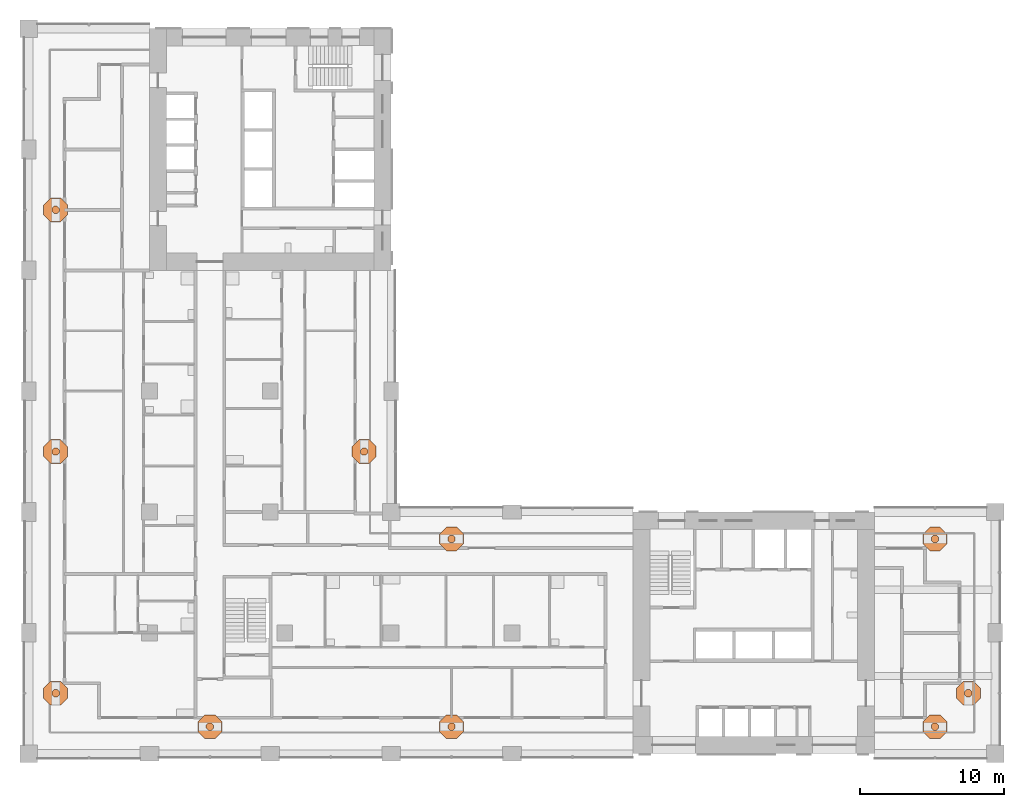
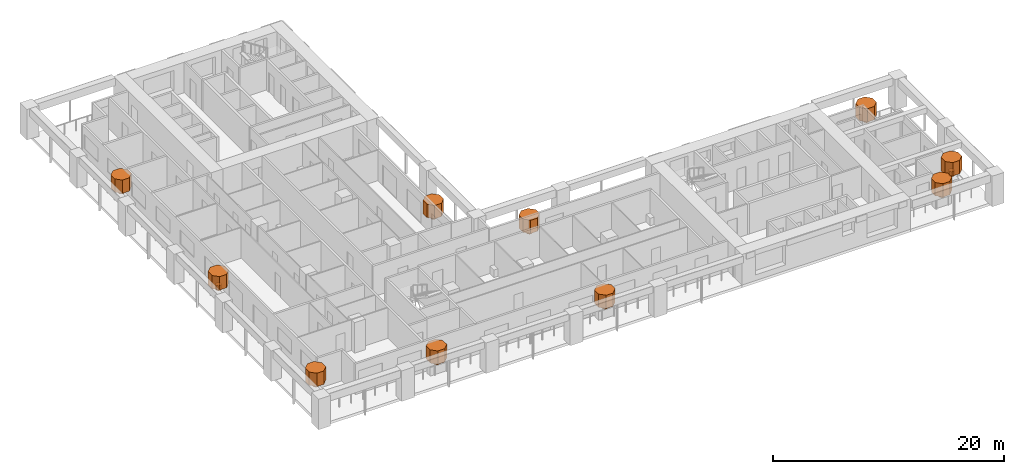
# One storey, part 18 of 18: 20 geographic elements.
"""IFC4 building model written with IfcOpenShell, lengths in metres."""

from ifc_helpers import new_model, si_unit, direction, frame, origin, place, context, subcontext, project, spatial, polyline, outline, extrude, material, element, save


model = new_model("IFC4")

# Units and contexts
model_context = context("Model", 3, precision=1e-05, world=origin(), true_north=direction((0.0, 1.0)))
body_context = subcontext(model_context, "Body", "Model", "MODEL_VIEW")
ifc_project = project(units=[si_unit("LENGTHUNIT", "METRE"), si_unit("AREAUNIT", "SQUARE_METRE"), si_unit("VOLUMEUNIT", "CUBIC_METRE"), si_unit("PLANEANGLEUNIT", "RADIAN"), si_unit("MASSUNIT", "GRAM", prefix="KILO")], contexts=[model_context])

# Site, building, storey
site_placement = place(None, origin())
site = spatial("IfcSite", under=ifc_project, at=site_placement, CompositionType="ELEMENT")
building_placement = place(site_placement, origin())
building = spatial("IfcBuilding", under=site, at=building_placement, Name="Vermilion Gate Residences", CompositionType="ELEMENT")
storey_placement = place(building_placement, frame((0.0, 0.0, 133.699951171875)))
storey = spatial("IfcBuildingStorey", under=building, at=storey_placement, Name="L34", CompositionType="ELEMENT", Elevation=133.699951171875)

# Geographic elements
ifc_material = material(Name="Foliage")
geographic_element_1_placement = place(storey_placement, frame((0.0, 0.0, 0.900146484375)))
element("IfcGeographicElement", 1, at=geographic_element_1_placement, inside=storey, material=ifc_material, Name="Tree (black pine)", ObjectType="TREE", PredefinedType="USERDEFINED", context=body_context, shape_type="SweptSolid", body=[
    extrude(outline(polyline([(12.85400390625, 10.380126953125), (12.705078125, 10.529052734375), (12.494873046875, 10.529052734375), (12.345947265625, 10.380126953125), (12.345947265625, 10.169921875), (12.494873046875, 10.02099609375), (12.705078125, 10.02099609375), (12.85400390625, 10.169921875), (12.85400390625, 10.380126953125)])), origin(), (0.0, 0.0, 1.0), 0.52001953125),
])
geographic_element_2_placement = place(storey_placement, frame((0.0, 0.0, 1.420166015625)))
element("IfcGeographicElement", 2, at=geographic_element_2_placement, inside=storey, material=ifc_material, Name="Tree crown (black pine)", ObjectType="TREE", PredefinedType="USERDEFINED", context=body_context, shape_type="SweptSolid", body=[
    extrude(outline(polyline([(13.431396484375, 10.619384765625), (12.9443359375, 11.1064453125), (12.255615234375, 11.1064453125), (11.7685546875, 10.619384765625), (11.7685546875, 9.9306640625), (12.255615234375, 9.443603515625), (12.9443359375, 9.443603515625), (13.431396484375, 9.9306640625), (13.431396484375, 10.619384765625)])), origin(), (0.0, 0.0, 1.0), 1.39990234375),
])
geographic_element_3_placement = place(storey_placement, frame((0.0, 0.0, 0.900146484375)))
element("IfcGeographicElement", 3, at=geographic_element_3_placement, inside=storey, material=ifc_material, Name="Tree (maple)", ObjectType="TREE", PredefinedType="USERDEFINED", context=body_context, shape_type="SweptSolid", body=[
    extrude(outline(polyline([(29.654052734375, 10.380126953125), (29.505126953125, 10.529052734375), (29.294921875, 10.529052734375), (29.14599609375, 10.380126953125), (29.14599609375, 10.169921875), (29.294921875, 10.02099609375), (29.505126953125, 10.02099609375), (29.654052734375, 10.169921875), (29.654052734375, 10.380126953125)])), origin(), (0.0, 0.0, 1.0), 0.52001953125),
])
geographic_element_4_placement = place(storey_placement, frame((0.0, 0.0, 1.420166015625)))
element("IfcGeographicElement", 4, at=geographic_element_4_placement, inside=storey, material=ifc_material, Name="Tree crown (maple)", ObjectType="TREE", PredefinedType="USERDEFINED", context=body_context, shape_type="SweptSolid", body=[
    extrude(outline(polyline([(30.2314453125, 10.619384765625), (29.744384765625, 11.1064453125), (29.0556640625, 11.1064453125), (28.568603515625, 10.619384765625), (28.568603515625, 9.9306640625), (29.0556640625, 9.443603515625), (29.744384765625, 9.443603515625), (30.2314453125, 9.9306640625), (30.2314453125, 10.619384765625)])), origin(), (0.0, 0.0, 1.0), 1.39990234375),
])
geographic_element_5_placement = place(storey_placement, frame((0.0, 0.0, 0.900146484375)))
element("IfcGeographicElement", 5, at=geographic_element_5_placement, inside=storey, material=ifc_material, Name="Tree (maple)", ObjectType="TREE", PredefinedType="USERDEFINED", context=body_context, shape_type="SweptSolid", body=[
    extrude(outline(polyline([(63.254150390625, 10.380126953125), (63.105224609375, 10.529052734375), (62.894775390625, 10.529052734375), (62.745849609375, 10.380126953125), (62.745849609375, 10.169921875), (62.894775390625, 10.02099609375), (63.105224609375, 10.02099609375), (63.254150390625, 10.169921875), (63.254150390625, 10.380126953125)])), origin(), (0.0, 0.0, 1.0), 0.52001953125),
])
geographic_element_6_placement = place(storey_placement, frame((0.0, 0.0, 1.420166015625)))
element("IfcGeographicElement", 6, at=geographic_element_6_placement, inside=storey, material=ifc_material, Name="Tree crown (maple)", ObjectType="TREE", PredefinedType="USERDEFINED", context=body_context, shape_type="SweptSolid", body=[
    extrude(outline(polyline([(63.83154296875, 10.619384765625), (63.344482421875, 11.1064453125), (62.655517578125, 11.1064453125), (62.16845703125, 10.619384765625), (62.16845703125, 9.9306640625), (62.655517578125, 9.443603515625), (63.344482421875, 9.443603515625), (63.83154296875, 9.9306640625), (63.83154296875, 10.619384765625)])), origin(), (0.0, 0.0, 1.0), 1.39990234375),
])
geographic_element_7_placement = place(storey_placement, frame((0.0, 0.0, 0.900146484375)))
element("IfcGeographicElement", 7, at=geographic_element_7_placement, inside=storey, material=ifc_material, Name="Tree (black pine)", ObjectType="TREE", PredefinedType="USERDEFINED", context=body_context, shape_type="SweptSolid", body=[
    extrude(outline(polyline([(65.5791015625, 12.705078125), (65.43017578125, 12.85400390625), (65.2197265625, 12.85400390625), (65.07080078125, 12.705078125), (65.07080078125, 12.494873046875), (65.2197265625, 12.345947265625), (65.43017578125, 12.345947265625), (65.5791015625, 12.494873046875), (65.5791015625, 12.705078125)])), origin(), (0.0, 0.0, 1.0), 0.52001953125),
])
geographic_element_8_placement = place(storey_placement, frame((0.0, 0.0, 1.420166015625)))
element("IfcGeographicElement", 8, at=geographic_element_8_placement, inside=storey, material=ifc_material, Name="Tree crown (black pine)", ObjectType="TREE", PredefinedType="USERDEFINED", context=body_context, shape_type="SweptSolid", body=[
    extrude(outline(polyline([(66.156494140625, 12.9443359375), (65.66943359375, 13.431396484375), (64.980712890625, 13.431396484375), (64.493408203125, 12.9443359375), (64.493408203125, 12.255615234375), (64.980712890625, 11.7685546875), (65.66943359375, 11.7685546875), (66.156494140625, 12.255615234375), (66.156494140625, 12.9443359375)])), origin(), (0.0, 0.0, 1.0), 1.39990234375),
])
geographic_element_9_placement = place(storey_placement, frame((0.0, 0.0, 0.900146484375)))
element("IfcGeographicElement", 9, at=geographic_element_9_placement, inside=storey, material=ifc_material, Name="Tree (maple)", ObjectType="TREE", PredefinedType="USERDEFINED", context=body_context, shape_type="SweptSolid", body=[
    extrude(outline(polyline([(29.654052734375, 23.43017578125), (29.505126953125, 23.5791015625), (29.294921875, 23.5791015625), (29.14599609375, 23.43017578125), (29.14599609375, 23.2197265625), (29.294921875, 23.07080078125), (29.505126953125, 23.07080078125), (29.654052734375, 23.2197265625), (29.654052734375, 23.43017578125)])), origin(), (0.0, 0.0, 1.0), 0.52001953125),
])
geographic_element_10_placement = place(storey_placement, frame((0.0, 0.0, 1.420166015625)))
element("IfcGeographicElement", 10, at=geographic_element_10_placement, inside=storey, material=ifc_material, Name="Tree crown (maple)", ObjectType="TREE", PredefinedType="USERDEFINED", context=body_context, shape_type="SweptSolid", body=[
    extrude(outline(polyline([(30.2314453125, 23.66943359375), (29.744384765625, 24.156494140625), (29.0556640625, 24.156494140625), (28.568603515625, 23.66943359375), (28.568603515625, 22.980712890625), (29.0556640625, 22.493408203125), (29.744384765625, 22.493408203125), (30.2314453125, 22.980712890625), (30.2314453125, 23.66943359375)])), origin(), (0.0, 0.0, 1.0), 1.39990234375),
])
geographic_element_11_placement = place(storey_placement, frame((0.0, 0.0, 0.900146484375)))
element("IfcGeographicElement", 11, at=geographic_element_11_placement, inside=storey, material=ifc_material, Name="Tree (maple)", ObjectType="TREE", PredefinedType="USERDEFINED", context=body_context, shape_type="SweptSolid", body=[
    extrude(outline(polyline([(63.254150390625, 23.43017578125), (63.105224609375, 23.5791015625), (62.894775390625, 23.5791015625), (62.745849609375, 23.43017578125), (62.745849609375, 23.2197265625), (62.894775390625, 23.07080078125), (63.105224609375, 23.07080078125), (63.254150390625, 23.2197265625), (63.254150390625, 23.43017578125)])), origin(), (0.0, 0.0, 1.0), 0.52001953125),
])
geographic_element_12_placement = place(storey_placement, frame((0.0, 0.0, 1.420166015625)))
element("IfcGeographicElement", 12, at=geographic_element_12_placement, inside=storey, material=ifc_material, Name="Tree crown (maple)", ObjectType="TREE", PredefinedType="USERDEFINED", context=body_context, shape_type="SweptSolid", body=[
    extrude(outline(polyline([(63.83154296875, 23.66943359375), (63.344482421875, 24.156494140625), (62.655517578125, 24.156494140625), (62.16845703125, 23.66943359375), (62.16845703125, 22.980712890625), (62.655517578125, 22.493408203125), (63.344482421875, 22.493408203125), (63.83154296875, 22.980712890625), (63.83154296875, 23.66943359375)])), origin(), (0.0, 0.0, 1.0), 1.39990234375),
])
geographic_element_13_placement = place(storey_placement, frame((0.0, 0.0, 0.900146484375)))
element("IfcGeographicElement", 13, at=geographic_element_13_placement, inside=storey, material=ifc_material, Name="Tree (maple)", ObjectType="TREE", PredefinedType="USERDEFINED", context=body_context, shape_type="SweptSolid", body=[
    extrude(outline(polyline([(23.5791015625, 29.505126953125), (23.43017578125, 29.654052734375), (23.2197265625, 29.654052734375), (23.07080078125, 29.505126953125), (23.07080078125, 29.294921875), (23.2197265625, 29.14599609375), (23.43017578125, 29.14599609375), (23.5791015625, 29.294921875), (23.5791015625, 29.505126953125)])), origin(), (0.0, 0.0, 1.0), 0.52001953125),
])
geographic_element_14_placement = place(storey_placement, frame((0.0, 0.0, 1.420166015625)))
element("IfcGeographicElement", 14, at=geographic_element_14_placement, inside=storey, material=ifc_material, Name="Tree crown (maple)", ObjectType="TREE", PredefinedType="USERDEFINED", context=body_context, shape_type="SweptSolid", body=[
    extrude(outline(polyline([(24.156494140625, 29.744384765625), (23.66943359375, 30.2314453125), (22.980712890625, 30.2314453125), (22.493408203125, 29.744384765625), (22.493408203125, 29.0556640625), (22.980712890625, 28.568603515625), (23.66943359375, 28.568603515625), (24.156494140625, 29.0556640625), (24.156494140625, 29.744384765625)])), origin(), (0.0, 0.0, 1.0), 1.39990234375),
])
geographic_element_15_placement = place(storey_placement, frame((0.0, 0.0, 0.900146484375)))
element("IfcGeographicElement", 15, at=geographic_element_15_placement, inside=storey, material=ifc_material, Name="Tree (black pine)", ObjectType="TREE", PredefinedType="USERDEFINED", context=body_context, shape_type="SweptSolid", body=[
    extrude(outline(polyline([(2.129150390625, 12.705078125), (1.980224609375, 12.85400390625), (1.769775390625, 12.85400390625), (1.620849609375, 12.705078125), (1.620849609375, 12.494873046875), (1.769775390625, 12.345947265625), (1.980224609375, 12.345947265625), (2.129150390625, 12.494873046875), (2.129150390625, 12.705078125)])), origin(), (0.0, 0.0, 1.0), 0.52001953125),
])
geographic_element_16_placement = place(storey_placement, frame((0.0, 0.0, 1.420166015625)))
element("IfcGeographicElement", 16, at=geographic_element_16_placement, inside=storey, material=ifc_material, Name="Tree crown (black pine)", ObjectType="TREE", PredefinedType="USERDEFINED", context=body_context, shape_type="SweptSolid", body=[
    extrude(outline(polyline([(2.70654296875, 12.9443359375), (2.219482421875, 13.431396484375), (1.530517578125, 13.431396484375), (1.04345703125, 12.9443359375), (1.04345703125, 12.255615234375), (1.530517578125, 11.7685546875), (2.219482421875, 11.7685546875), (2.70654296875, 12.255615234375), (2.70654296875, 12.9443359375)])), origin(), (0.0, 0.0, 1.0), 1.39990234375),
])
geographic_element_17_placement = place(storey_placement, frame((0.0, 0.0, 0.900146484375)))
element("IfcGeographicElement", 17, at=geographic_element_17_placement, inside=storey, material=ifc_material, Name="Tree (maple)", ObjectType="TREE", PredefinedType="USERDEFINED", context=body_context, shape_type="SweptSolid", body=[
    extrude(outline(polyline([(2.129150390625, 29.505126953125), (1.980224609375, 29.654052734375), (1.769775390625, 29.654052734375), (1.620849609375, 29.505126953125), (1.620849609375, 29.294921875), (1.769775390625, 29.14599609375), (1.980224609375, 29.14599609375), (2.129150390625, 29.294921875), (2.129150390625, 29.505126953125)])), origin(), (0.0, 0.0, 1.0), 0.52001953125),
])
geographic_element_18_placement = place(storey_placement, frame((0.0, 0.0, 1.420166015625)))
element("IfcGeographicElement", 18, at=geographic_element_18_placement, inside=storey, material=ifc_material, Name="Tree crown (maple)", ObjectType="TREE", PredefinedType="USERDEFINED", context=body_context, shape_type="SweptSolid", body=[
    extrude(outline(polyline([(2.70654296875, 29.744384765625), (2.219482421875, 30.2314453125), (1.530517578125, 30.2314453125), (1.04345703125, 29.744384765625), (1.04345703125, 29.0556640625), (1.530517578125, 28.568603515625), (2.219482421875, 28.568603515625), (2.70654296875, 29.0556640625), (2.70654296875, 29.744384765625)])), origin(), (0.0, 0.0, 1.0), 1.39990234375),
])
geographic_element_19_placement = place(storey_placement, frame((0.0, 0.0, 0.900146484375)))
element("IfcGeographicElement", 19, at=geographic_element_19_placement, inside=storey, material=ifc_material, Name="Tree (black pine)", ObjectType="TREE", PredefinedType="USERDEFINED", context=body_context, shape_type="SweptSolid", body=[
    extrude(outline(polyline([(2.129150390625, 46.30517578125), (1.980224609375, 46.4541015625), (1.769775390625, 46.4541015625), (1.620849609375, 46.30517578125), (1.620849609375, 46.0947265625), (1.769775390625, 45.94580078125), (1.980224609375, 45.94580078125), (2.129150390625, 46.0947265625), (2.129150390625, 46.30517578125)])), origin(), (0.0, 0.0, 1.0), 0.52001953125),
])
geographic_element_20_placement = place(storey_placement, frame((0.0, 0.0, 1.420166015625)))
element("IfcGeographicElement", 20, at=geographic_element_20_placement, inside=storey, material=ifc_material, Name="Tree crown (black pine)", ObjectType="TREE", PredefinedType="USERDEFINED", context=body_context, shape_type="SweptSolid", body=[
    extrude(outline(polyline([(2.70654296875, 46.54443359375), (2.219482421875, 47.031494140625), (1.530517578125, 47.031494140625), (1.04345703125, 46.54443359375), (1.04345703125, 45.855712890625), (1.530517578125, 45.368408203125), (2.219482421875, 45.368408203125), (2.70654296875, 45.855712890625), (2.70654296875, 46.54443359375)])), origin(), (0.0, 0.0, 1.0), 1.39990234375),
])

save(model, "model.ifc")
